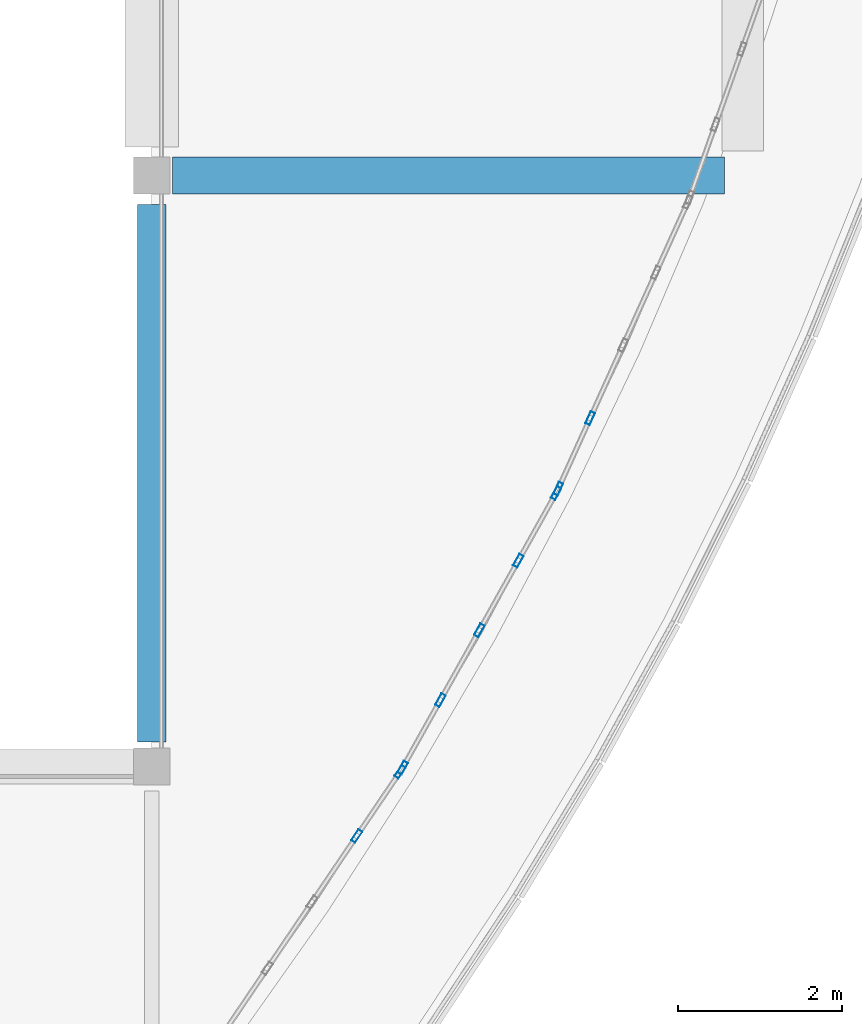
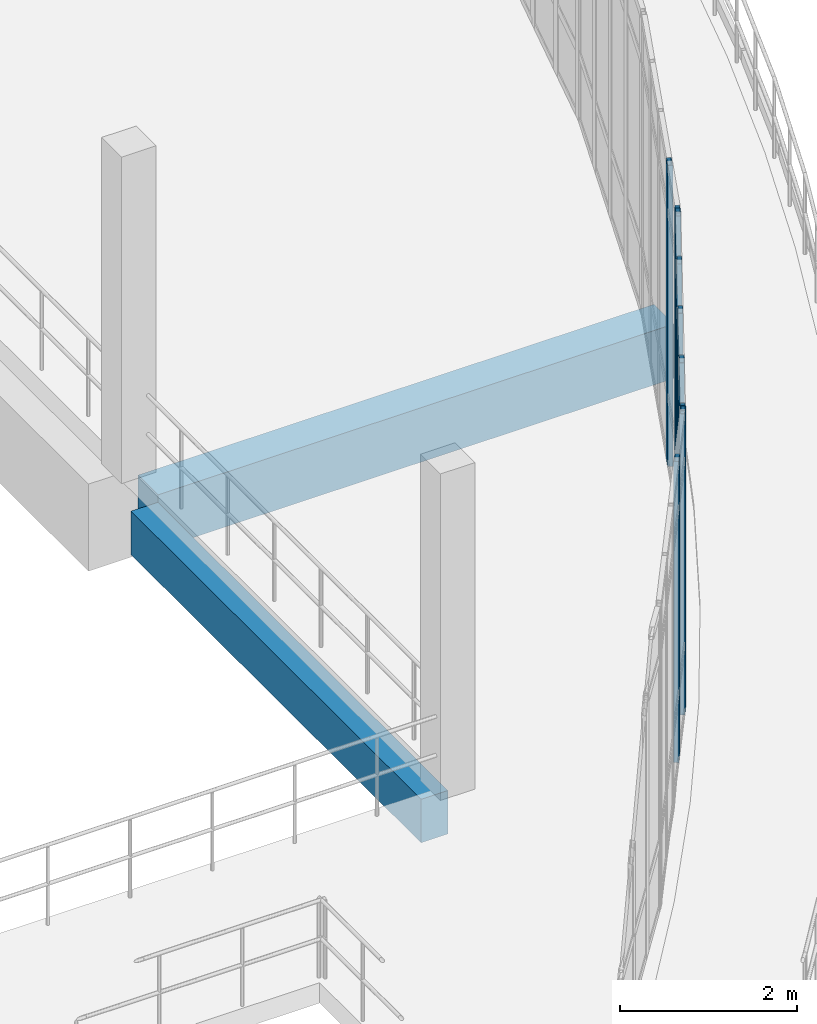
# One storey, part 60 of 116: 9 members, 2 beams, 3 elements without a shape of their own.
"""IFC4 building model written with IfcOpenShell, lengths in metres."""

from ifc_helpers import new_model, si_unit, direction, frame, origin, origin_2d, place, context, subcontext, project, spatial, rectangle, hollow_rectangle, extrude, material, material_profile, profile_set, type_object, element, aggregate, save


model = new_model("IFC4")

# Units and contexts
model_context = context("Model", 3, precision=1e-05, world=origin(), true_north=direction((0.0, 1.0)))
body_context = subcontext(model_context, "Body", "Model", "MODEL_VIEW")
ifc_project = project(units=[si_unit("LENGTHUNIT", "METRE"), si_unit("AREAUNIT", "SQUARE_METRE"), si_unit("VOLUMEUNIT", "CUBIC_METRE"), si_unit("PLANEANGLEUNIT", "RADIAN"), si_unit("MASSUNIT", "GRAM", prefix="KILO")], contexts=[model_context])

# Site, building, storey
site_placement = place(None, origin())
site = spatial("IfcSite", under=ifc_project, at=site_placement, CompositionType="ELEMENT")
building_placement = place(site_placement, origin())
building = spatial("IfcBuilding", under=site, at=building_placement, Name="Kalluvel Institute of Natural Sciences", CompositionType="ELEMENT")
storey_placement = place(building_placement, frame((0.0, 0.0, 14.39990234375)))
storey = spatial("IfcBuildingStorey", under=building, at=storey_placement, Name="L03", CompositionType="ELEMENT", Elevation=14.39990234375)

# Beams
ifc_material_1 = material(Name="Concrete M40", Category="concrete")
ifc_material_profile_1 = material_profile(ifc_material_1, rectangle(XDim=0.35009765625, YDim=0.60009765625, at=origin_2d()), Name="RCB 350x600")
ifc_profile_set_1 = profile_set([ifc_material_profile_1], Name="Concrete M40")
beam_type_1 = type_object("IfcBeamType", Name="BM-RC350x600", PredefinedType="BEAM", material=ifc_profile_set_1)
beam_1_placement = place(storey_placement, frame((71.60009765625, 79.10009765625, -0.619873046875), z_axis=(0.0, 1.0, 0.0), x_axis=(-1.0, 0.0, 0.0)))
element("IfcBeam", 1, at=beam_1_placement, inside=storey, type_object=beam_type_1, Name="L03 girder GIR-L03-NS-X716-Y788", PredefinedType="BEAM", context=body_context, shape_type="SweptSolid", body=[
    extrude(rectangle(XDim=0.35009765625, YDim=0.60009765625, at=origin_2d()), origin(), (0.0, 0.0, 1.0), 6.5498046875),
])
ifc_material_profile_2 = material_profile(ifc_material_1, rectangle(XDim=0.449951171875, YDim=0.75, at=origin_2d()), Name="RCB 450x750")
ifc_profile_set_2 = profile_set([ifc_material_profile_2], Name="Concrete M40")
beam_type_2 = type_object("IfcBeamType", Name="BM-RC450x750", PredefinedType="BEAM", material=ifc_profile_set_2)
beam_2_placement = place(storey_placement, frame((71.85009765625, 86.0, -0.69482421875), z_axis=(1.0, 0.0, 0.0), x_axis=(0.0, 1.0, 0.0)))
element("IfcBeam", 2, at=beam_2_placement, inside=storey, type_object=beam_type_2, Name="L03 girder GIR-L03-EW-X716-Y860", PredefinedType="BEAM", context=body_context, shape_type="SweptSolid", body=[
    extrude(rectangle(XDim=0.449951171875, YDim=0.75, at=origin_2d()), origin(), (0.0, 0.0, 1.0), 6.724853515625),
])

# Curtain wall, members
ifc_material_2 = material(Name="Aluminium AW-6063 T6", Category="aluminium")
curtain_wall_type = type_object("IfcCurtainWallType", Name="CW-ATR-ARC", PredefinedType="USERDEFINED", material=ifc_material_2)
curtain_wall_1_placement = place(storey_placement, origin())
curtain_wall_1 = element("IfcCurtainWall", 3, at=curtain_wall_1_placement, inside=storey, type_object=curtain_wall_type, Name="L03 Gothic lancet curtain wall CWA-L03-X725-Y755", ObjectType="UNITISED LANCET FACADE", PredefinedType="USERDEFINED")
ifc_material_profile_3 = material_profile(ifc_material_2, hollow_rectangle(XDim=0.06005859375, YDim=0.159912109375, WallThickness=0.00390625, at=origin_2d()), Name="CWM 60x160")
ifc_profile_set_3 = profile_set([ifc_material_profile_3], Name="Aluminium AW-6063 T6")
member_type = type_object("IfcMemberType", Name="CWM-60x160", PredefinedType="MULLION", material=ifc_profile_set_3)
member_1_placement = place(storey_placement, frame((74.09765625, 77.954345703125, 0.0), z_axis=(0.0, 0.0, 1.0), x_axis=(-0.82851132146, 0.559972312005, 0.0)))
member_1 = element("IfcMember", 4, at=member_1_placement, type_object=member_type, Name="CW-05 mullion 4", PredefinedType="MULLION", context=body_context, shape_type="SweptSolid", body=[
    extrude(hollow_rectangle(XDim=0.06005859375, YDim=0.159912109375, WallThickness=0.00390625, at=origin_2d()), origin(), (0.0, 0.0, 1.0), 4.150146484375),
])
member_2_placement = place(storey_placement, frame((74.625732421875, 78.735595703125, 0.0), z_axis=(0.0, 0.0, 1.0), x_axis=(-0.82851132146, 0.559972312005, 0.0)))
member_2 = element("IfcMember", 5, at=member_2_placement, type_object=member_type, Name="CW-05 mullion 5", PredefinedType="MULLION", context=body_context, shape_type="SweptSolid", body=[
    extrude(hollow_rectangle(XDim=0.06005859375, YDim=0.159912109375, WallThickness=0.00390625, at=origin_2d()), origin(), (0.0, 0.0, 1.0), 4.150146484375),
])
aggregate(curtain_wall_1, [member_1, member_2])

curtain_wall_2_placement = place(storey_placement, origin())
curtain_wall_2 = element("IfcCurtainWall", 6, at=curtain_wall_2_placement, inside=storey, type_object=curtain_wall_type, Name="L03 Gothic lancet curtain wall CWA-L03-X746-Y788", ObjectType="UNITISED LANCET FACADE", PredefinedType="USERDEFINED")
member_3_placement = place(storey_placement, frame((74.6572265625, 78.78662109375, 0.0), z_axis=(0.0, 0.0, 1.0), x_axis=(-0.873010732597, 0.487700995253, 0.0)))
member_3 = element("IfcMember", 7, at=member_3_placement, type_object=member_type, Name="CW-05 mullion 1", PredefinedType="MULLION", context=body_context, shape_type="SweptSolid", body=[
    extrude(hollow_rectangle(XDim=0.06005859375, YDim=0.159912109375, WallThickness=0.00390625, at=origin_2d()), origin(), (0.0, 0.0, 1.0), 4.150146484375),
])
member_4_placement = place(storey_placement, frame((75.1171875, 79.60986328125, 0.0), z_axis=(0.0, 0.0, 1.0), x_axis=(-0.873010732597, 0.487700995253, 0.0)))
member_4 = element("IfcMember", 8, at=member_4_placement, type_object=member_type, Name="CW-05 mullion 2", PredefinedType="MULLION", context=body_context, shape_type="SweptSolid", body=[
    extrude(hollow_rectangle(XDim=0.06005859375, YDim=0.159912109375, WallThickness=0.00390625, at=origin_2d()), origin(), (0.0, 0.0, 1.0), 4.150146484375),
])
member_5_placement = place(storey_placement, frame((75.591552734375, 80.459228515625, 0.0), z_axis=(0.0, 0.0, 1.0), x_axis=(-0.873010732597, 0.487700995253, 0.0)))
member_5 = element("IfcMember", 9, at=member_5_placement, type_object=member_type, Name="CW-05 mullion 3", PredefinedType="MULLION", context=body_context, shape_type="SweptSolid", body=[
    extrude(hollow_rectangle(XDim=0.06005859375, YDim=0.159912109375, WallThickness=0.00390625, at=origin_2d()), origin(), (0.0, 0.0, 1.0), 4.150146484375),
])
member_6_placement = place(storey_placement, frame((76.066162109375, 81.308837890625, 0.0), z_axis=(0.0, 0.0, 1.0), x_axis=(-0.873010732597, 0.487700995253, 0.0)))
member_6 = element("IfcMember", 10, at=member_6_placement, type_object=member_type, Name="CW-05 mullion 4", PredefinedType="MULLION", context=body_context, shape_type="SweptSolid", body=[
    extrude(hollow_rectangle(XDim=0.06005859375, YDim=0.159912109375, WallThickness=0.00390625, at=origin_2d()), origin(), (0.0, 0.0, 1.0), 4.150146484375),
])
member_7_placement = place(storey_placement, frame((76.526123046875, 82.132080078125, 0.0), z_axis=(0.0, 0.0, 1.0), x_axis=(-0.873010732597, 0.487700995253, 0.0)))
member_7 = element("IfcMember", 11, at=member_7_placement, type_object=member_type, Name="CW-05 mullion 5", PredefinedType="MULLION", context=body_context, shape_type="SweptSolid", body=[
    extrude(hollow_rectangle(XDim=0.06005859375, YDim=0.159912109375, WallThickness=0.00390625, at=origin_2d()), origin(), (0.0, 0.0, 1.0), 4.150146484375),
])
aggregate(curtain_wall_2, [member_3, member_4, member_5, member_6, member_7])

curtain_wall_3_placement = place(storey_placement, origin())
curtain_wall_3 = element("IfcCurtainWall", 12, at=curtain_wall_3_placement, inside=storey, type_object=curtain_wall_type, Name="L03 Gothic lancet curtain wall CWA-L03-X765-Y822", ObjectType="UNITISED LANCET FACADE", PredefinedType="USERDEFINED")
member_8_placement = place(storey_placement, frame((76.552978515625, 82.185546875, 0.0), z_axis=(0.0, 0.0, 1.0), x_axis=(-0.911231255581, 0.411895130891, 0.0)))
member_8 = element("IfcMember", 13, at=member_8_placement, type_object=member_type, Name="CW-05 mullion 1", PredefinedType="MULLION", context=body_context, shape_type="SweptSolid", body=[
    extrude(hollow_rectangle(XDim=0.06005859375, YDim=0.159912109375, WallThickness=0.00390625, at=origin_2d()), origin(), (0.0, 0.0, 1.0), 4.150146484375),
])
member_9_placement = place(storey_placement, frame((76.94140625, 83.044677734375, 0.0), z_axis=(0.0, 0.0, 1.0), x_axis=(-0.911231255581, 0.411895130891, 0.0)))
member_9 = element("IfcMember", 14, at=member_9_placement, type_object=member_type, Name="CW-05 mullion 2", PredefinedType="MULLION", context=body_context, shape_type="SweptSolid", body=[
    extrude(hollow_rectangle(XDim=0.06005859375, YDim=0.159912109375, WallThickness=0.00390625, at=origin_2d()), origin(), (0.0, 0.0, 1.0), 4.150146484375),
])
aggregate(curtain_wall_3, [member_8, member_9])

save(model, "model.ifc")
